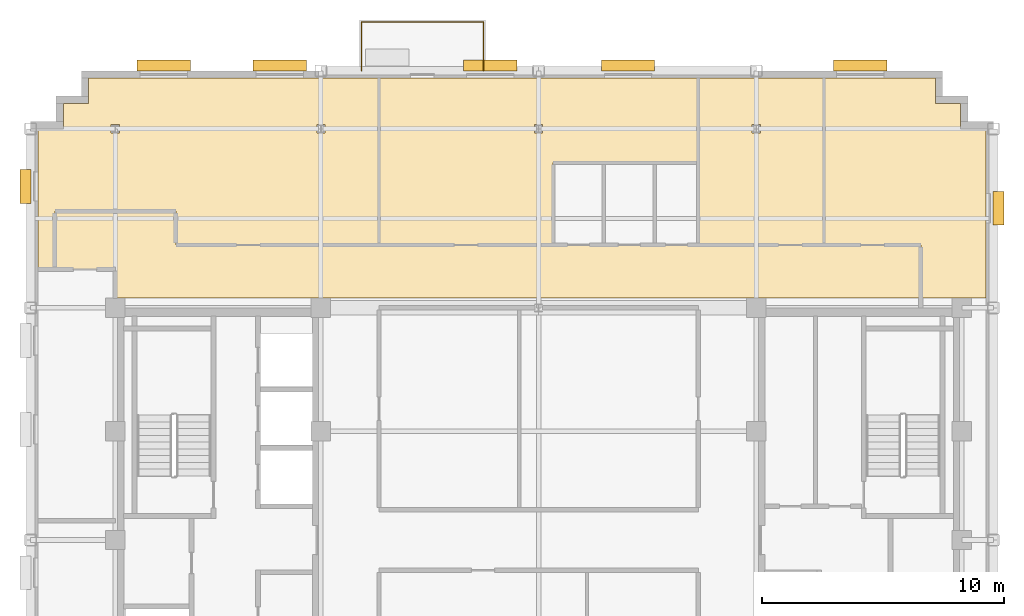
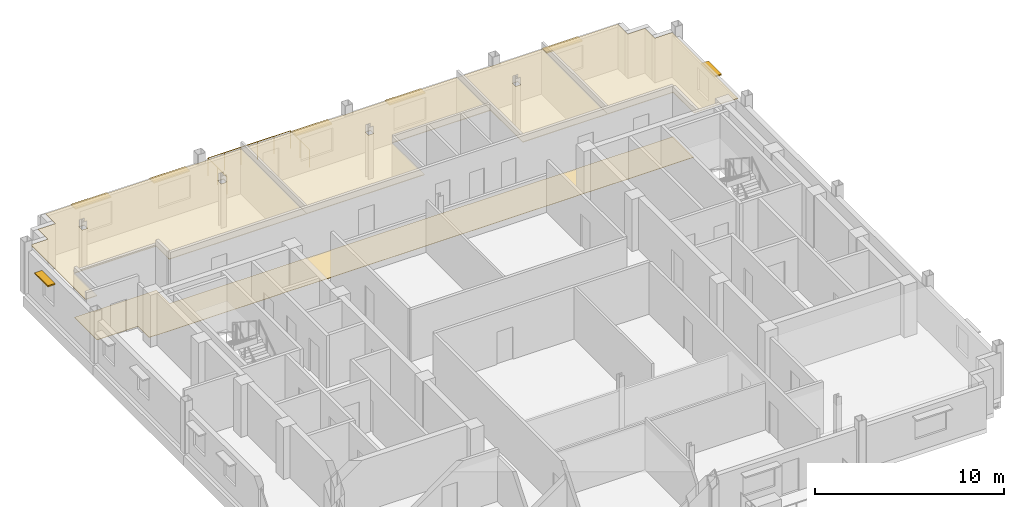
# One storey, part 13 of 13: 7 shading devices, 5 coverings, 1 railing.
"""IFC4 building model written with IfcOpenShell, lengths in metres."""

from ifc_helpers import new_model, si_unit, direction, frame, origin, origin_2d, place, context, subcontext, project, spatial, polyline, rectangle, circle, outline, extrude, source, transform, mapped, material, layer, layer_set, type_object, type_shapes, element, save


model = new_model("IFC4")

# Units and contexts
model_context = context("Model", 3, precision=1e-05, world=origin(), true_north=direction((0.0, 1.0)))
body_context = subcontext(model_context, "Body", "Model", "MODEL_VIEW")
ifc_project = project(units=[si_unit("LENGTHUNIT", "METRE"), si_unit("AREAUNIT", "SQUARE_METRE"), si_unit("VOLUMEUNIT", "CUBIC_METRE"), si_unit("PLANEANGLEUNIT", "RADIAN"), si_unit("MASSUNIT", "GRAM", prefix="KILO")], contexts=[model_context])

# Site, building, storey
site_placement = place(None, origin())
site = spatial("IfcSite", under=ifc_project, at=site_placement, CompositionType="ELEMENT")
building_placement = place(site_placement, origin())
building = spatial("IfcBuilding", under=site, at=building_placement, Name="Nuvemarco Arch Tower", CompositionType="ELEMENT")
storey_placement = place(building_placement, frame((0.0, 0.0, 279.85009765625)))
storey = spatial("IfcBuildingStorey", under=building, at=storey_placement, Name="L74", CompositionType="ELEMENT", Elevation=279.85009765625)

# Coverings
ifc_material_1 = material(Name="Mineral acoustic ceiling tile")
ifc_layer_1 = layer(ifc_material_1, 0.0400390625, Name="COV-ACOUSTIC-CLG")
ifc_layer_set_1 = layer_set([ifc_layer_1], Name="Mineral acoustic ceiling tile")
covering_type_1 = type_object("IfcCoveringType", Name="COV-ACOUSTIC-CLG", PredefinedType="CEILING", material=ifc_layer_set_1)
covering_1_placement = place(storey_placement, frame((0.0, 0.0, 2.849853515625)))
element("IfcCovering", 1, at=covering_1_placement, inside=storey, type_object=covering_type_1, Name="L74 suspended acoustic ceiling 2", PredefinedType="CEILING", context=body_context, shape_type="SweptSolid", body=[
    extrude(outline(polyline([(-20.0, 11.199951171875), (-20.699951171875, 11.199951171875), (-20.699951171875, 17.0), (-19.64990234375, 17.0), (-19.64990234375, 18.050048828125), (-18.60009765625, 18.050048828125), (-18.60009765625, 19.10009765625), (-6.60009765625, 19.10009765625), (-6.60009765625, 12.199951171875), (-9.0, 12.199951171875), (-15.0, 12.199951171875), (-15.0, 13.60009765625), (-20.0, 13.60009765625), (-20.0, 11.199951171875)]), holes=[polyline([(-17.330078125, 17.169921875), (-17.669921875, 17.169921875), (-17.669921875, 16.830078125), (-17.330078125, 16.830078125), (-17.330078125, 17.169921875)]), polyline([(-8.830078125, 17.169921875), (-9.169921875, 17.169921875), (-9.169921875, 16.830078125), (-8.830078125, 16.830078125), (-8.830078125, 17.169921875)])]), origin(), (0.0, 0.0, 1.0), 0.0400390625),
])
covering_2_placement = place(storey_placement, frame((0.0, 0.0, 2.849853515625)))
element("IfcCovering", 2, at=covering_2_placement, inside=storey, type_object=covering_type_1, Name="L74 suspended acoustic ceiling 3", PredefinedType="CEILING", context=body_context, shape_type="SweptSolid", body=[
    extrude(outline(polyline([(-6.60009765625, 12.199951171875), (-6.60009765625, 19.10009765625), (6.60009765625, 19.10009765625), (6.60009765625, 15.60009765625), (4.800048828125, 15.60009765625), (2.699951171875, 15.60009765625), (0.60009765625, 15.60009765625), (0.60009765625, 12.199951171875), (-6.60009765625, 12.199951171875)]), holes=[polyline([(0.169921875, 16.830078125), (0.169921875, 17.169921875), (-0.169921875, 17.169921875), (-0.169921875, 16.830078125), (0.169921875, 16.830078125)])]), origin(), (0.0, 0.0, 1.0), 0.0400390625),
])
covering_3_placement = place(storey_placement, frame((0.0, 0.0, 2.849853515625)))
element("IfcCovering", 3, at=covering_3_placement, inside=storey, type_object=covering_type_1, Name="L74 suspended acoustic ceiling 6", PredefinedType="CEILING", context=body_context, shape_type="SweptSolid", body=[
    extrude(outline(polyline([(18.5, 17.0), (18.5, 10.0), (17.9150390625, 10.0), (17.9150390625, 10.014892578125), (17.0849609375, 10.014892578125), (17.0849609375, 10.0), (15.800048828125, 10.0), (15.800048828125, 12.199951171875), (11.800048828125, 12.199951171875), (11.800048828125, 19.10009765625), (16.39990234375, 19.10009765625), (16.39990234375, 18.050048828125), (17.449951171875, 18.050048828125), (17.449951171875, 17.0), (18.5, 17.0)])), origin(), (0.0, 0.0, 1.0), 0.0400390625),
])
covering_4_placement = place(storey_placement, frame((0.0, 0.0, 2.849853515625)))
element("IfcCovering", 4, at=covering_4_placement, inside=storey, type_object=covering_type_1, Name="L74 suspended acoustic ceiling 7", PredefinedType="CEILING", context=body_context, shape_type="SweptSolid", body=[
    extrude(outline(polyline([(11.800048828125, 19.10009765625), (11.800048828125, 12.199951171875), (9.0, 12.199951171875), (6.60009765625, 12.199951171875), (6.60009765625, 15.60009765625), (6.60009765625, 19.10009765625), (11.800048828125, 19.10009765625)]), holes=[polyline([(9.169921875, 17.169921875), (8.830078125, 17.169921875), (8.830078125, 16.830078125), (9.169921875, 16.830078125), (9.169921875, 17.169921875)])]), origin(), (0.0, 0.0, 1.0), 0.0400390625),
])
ifc_material_2 = material(Name="Polished granite terrazzostone flooring", Category="masonry")
ifc_layer_2 = layer(ifc_material_2, 0.02001953125, Name="COV-LOBBY-FLR")
ifc_layer_set_2 = layer_set([ifc_layer_2], Name="Polished granite terrazzostone flooring")
covering_type_2 = type_object("IfcCoveringType", Name="COV-LOBBY-FLR", PredefinedType="FLOORING", material=ifc_layer_set_2)
covering_5_placement = place(storey_placement, origin())
element("IfcCovering", 5, at=covering_5_placement, inside=storey, type_object=covering_type_2, Name="L74 polished terrazzo lobby flooring", PredefinedType="FLOORING", context=body_context, shape_type="SweptSolid", body=[
    extrude(outline(polyline([(-8.5849609375, 10.014892578125), (-9.4150390625, 10.014892578125), (-9.4150390625, 10.0), (-17.0849609375, 10.0), (-17.0849609375, 10.014892578125), (-17.5, 10.014892578125), (-17.5, 11.199951171875), (-20.0, 11.199951171875), (-20.0, 13.60009765625), (-15.0, 13.60009765625), (-15.0, 12.199951171875), (-9.0, 12.199951171875), (-6.60009765625, 12.199951171875), (6.60009765625, 12.199951171875), (9.0, 12.199951171875), (15.800048828125, 12.199951171875), (15.800048828125, 10.0), (9.4150390625, 10.0), (9.4150390625, 10.014892578125), (8.5849609375, 10.014892578125), (8.5849609375, 10.0), (-8.5849609375, 10.0), (-8.5849609375, 10.014892578125)])), origin(), (0.0, 0.0, 1.0), 0.02001953125),
])

# Railing
ifc_material_3 = material(Name="Dark anodised balustrade steel S355", Category="steel")
railing_type = type_object("IfcRailingType", Name="RL-TERR-GUARD", PredefinedType="BALUSTRADE", material=ifc_material_3)
railing_placement = place(storey_placement, frame((-7.320068359375, 19.39990234375, 0.0)))
element("IfcRailing", 6, at=railing_placement, inside=storey, type_object=railing_type, Name="L74 tree balcony perimeter balustrade guard", PredefinedType="BALUSTRADE", context=body_context, shape_type="SweptSolid", body=[
    extrude(circle(Radius=0.02392578125, at=origin_2d()), frame((0.0, 0.0, 1.1259765625), z_axis=(0.0, 1.0, 0.0), x_axis=(-1.0, 0.0, 0.0)), (0.0, 0.0, 1.0), 2.02001953125),
    extrude(circle(Radius=0.02392578125, at=origin_2d()), frame((0.0, 2.02001953125, 1.1259765625), z_axis=(1.0, 0.0, 0.0), x_axis=(0.0, 1.0, 0.0)), (0.0, 0.0, 1.0), 5.0400390625),
    extrude(circle(Radius=0.02392578125, at=origin_2d()), frame((5.0400390625, 2.02001953125, 1.1259765625), z_axis=(0.0, -1.0, 0.0), x_axis=(1.0, 0.0, 0.0)), (0.0, 0.0, 1.0), 2.02001953125),
    extrude(circle(Radius=0.02099609375, at=origin_2d()), origin(), (0.0, 0.0, 1.0), 1.101806640625),
    extrude(circle(Radius=0.02099609375, at=origin_2d()), frame((0.0, 1.010009765625, 0.0)), (0.0, 0.0, 1.0), 1.101806640625),
    extrude(circle(Radius=0.02099609375, at=origin_2d()), frame((0.0, 2.02001953125, 0.0)), (0.0, 0.0, 1.0), 1.101806640625),
    extrude(circle(Radius=0.02099609375, at=origin_2d()), frame((1.008056640625, 2.02001953125, 0.0)), (0.0, 0.0, 1.0), 1.101806640625),
    extrude(circle(Radius=0.02099609375, at=origin_2d()), frame((2.01611328125, 2.02001953125, 0.0)), (0.0, 0.0, 1.0), 1.101806640625),
    extrude(circle(Radius=0.02099609375, at=origin_2d()), frame((3.02392578125, 2.02001953125, 0.0)), (0.0, 0.0, 1.0), 1.101806640625),
    extrude(circle(Radius=0.02099609375, at=origin_2d()), frame((4.031982421875, 2.02001953125, 0.0)), (0.0, 0.0, 1.0), 1.101806640625),
    extrude(circle(Radius=0.02099609375, at=origin_2d()), frame((5.0400390625, 2.02001953125, 0.0)), (0.0, 0.0, 1.0), 1.101806640625),
    extrude(circle(Radius=0.02099609375, at=origin_2d()), frame((5.0400390625, 1.010009765625, 0.0)), (0.0, 0.0, 1.0), 1.101806640625),
    extrude(circle(Radius=0.02099609375, at=origin_2d()), frame((5.0400390625, 0.0, 0.0)), (0.0, 0.0, 1.0), 1.101806640625),
])

# Shading devices
ifc_material_4 = material(Name="Anodised aluminium 6063-T6", Category="aluminium")
shading_device_type_1 = type_object("IfcShadingDeviceType", Name="SHD-BRISE-SOLEIL", PredefinedType="USERDEFINED", material=ifc_material_4)
shared_shape_1 = source(origin(), body_context, "Body", "SweptSolid", [
    extrude(rectangle(XDim=2.199951171875, YDim=0.449951171875, at=origin_2d()), origin(), (0.0, 0.0, 1.0), 0.080078125),
])
type_shapes(shading_device_type_1, [shared_shape_1])
for number, where, z_axis, x_axis, name in (
    (7, (-15.5, 19.614990234375, 2.284912109375), (0.0, 0.0, 1.0), (1.0, 0.0, 0.0), "L74 horizontal brise-soleil sunshade"),
    (8, (-10.699951171875, 19.614990234375, 2.284912109375), (0.0, 0.0, 1.0), (1.0, 0.0, 0.0), "L74 horizontal brise-soleil sunshade"),
    (9, (-2.0, 19.614990234375, 2.284912109375), (0.0, 0.0, 1.0), (1.0, 0.0, 0.0), "L74 horizontal brise-soleil sunshade"),
    (10, (3.699951171875, 19.614990234375, 2.284912109375), (0.0, 0.0, 1.0), (1.0, 0.0, 0.0), "L74 horizontal brise-soleil sunshade"),
    (11, (13.300048828125, 19.614990234375, 2.284912109375), (0.0, 0.0, 1.0), (1.0, 0.0, 0.0), "L74 horizontal brise-soleil sunshade"),
):
    element("IfcShadingDevice", number, at=place(storey_placement, frame(where, z_axis=z_axis, x_axis=x_axis)), inside=storey, type_object=shading_device_type_1, Name=name, ObjectType="SUNSHADE", PredefinedType="USERDEFINED", context=body_context, shape_type="MappedRepresentation", body=[
        mapped(shared_shape_1, transform((0.0, 0.0, 0.0), scale=1.0)),
    ])
shading_device_type_2 = type_object("IfcShadingDeviceType", Name="SHD-BRISE-NARROW", PredefinedType="USERDEFINED", material=ifc_material_4)
shared_shape_2 = source(origin(), body_context, "Body", "SweptSolid", [
    extrude(rectangle(XDim=1.39990234375, YDim=0.449951171875, at=origin_2d()), origin(), (0.0, 0.0, 1.0), 0.080078125),
])
type_shapes(shading_device_type_2, [shared_shape_2])
for number, where, z_axis, x_axis, name in (
    (12, (19.014892578125, 13.7177734375, 2.284912109375), (0.0, 0.0, 1.0), (0.0, 1.0, 0.0), "L74 horizontal brise-soleil sunshade"),
    (13, (-21.215087890625, 14.61767578125, 2.284912109375), (0.0, 0.0, 1.0), (0.0, 1.0, 0.0), "L74 horizontal brise-soleil sunshade"),
):
    element("IfcShadingDevice", number, at=place(storey_placement, frame(where, z_axis=z_axis, x_axis=x_axis)), inside=storey, type_object=shading_device_type_2, Name=name, ObjectType="SUNSHADE", PredefinedType="USERDEFINED", context=body_context, shape_type="MappedRepresentation", body=[
        mapped(shared_shape_2, transform((0.0, 0.0, 0.0), scale=1.0)),
    ])

save(model, "model.ifc")
